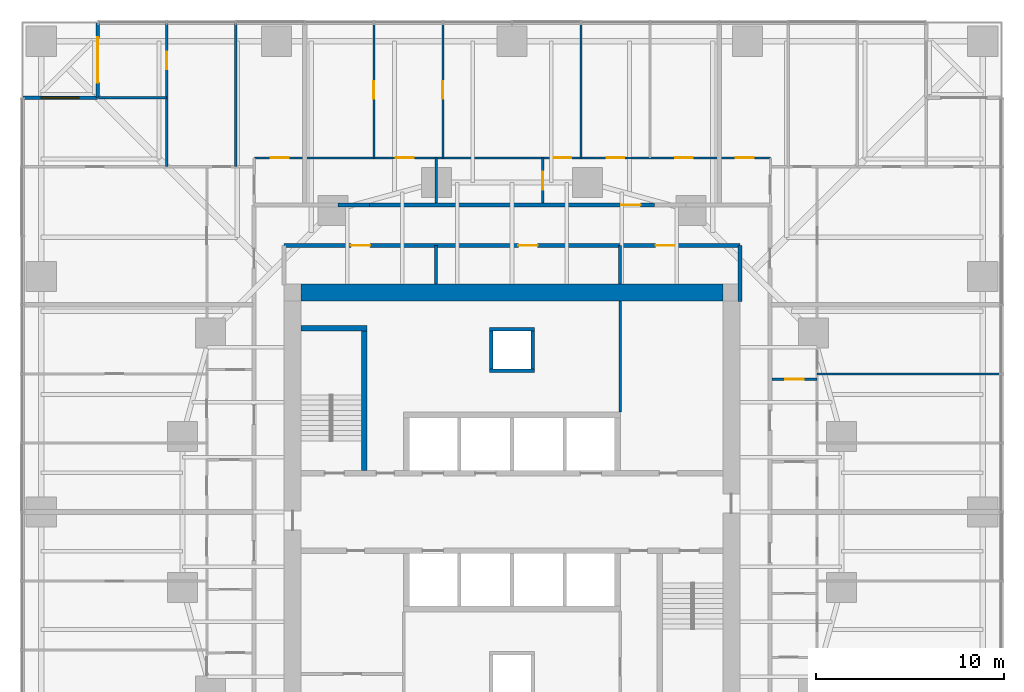
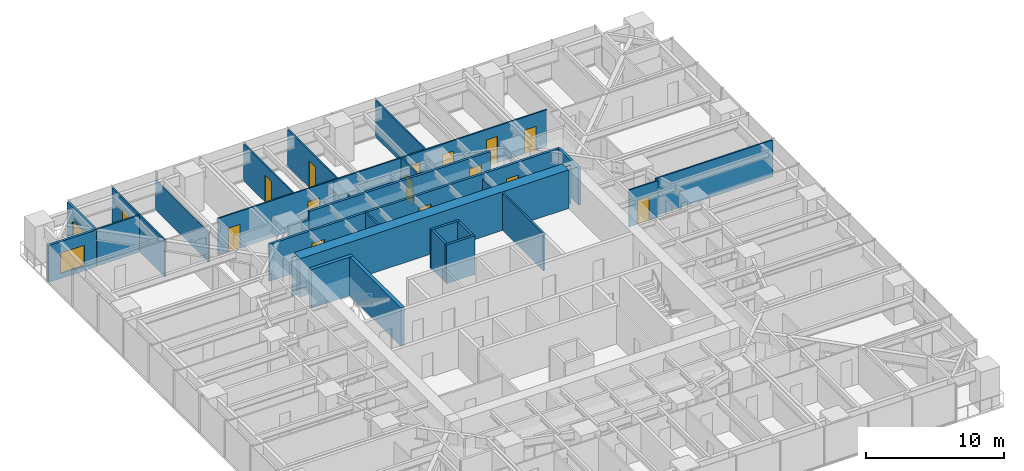
# One storey, part 12 of 14: 27 walls, 16 doors, 1 window, 17 openings.
"""IFC4 building model written with IfcOpenShell, lengths in metres."""

import ifcopenshell
import ifcopenshell.guid

model = None  # the IFC model being written
_history = None  # IfcOwnerHistory: only IFC2X3 demands one
_inside = {}  # id of a spatial element -> (the spatial element, [elements in it])
_under = {}  # id of a project, library or spatial element -> (it, [spatial elements below it])
_declared = {}  # id of a project -> (the project, [libraries it declares])
_typed = {}  # id of a type object -> (the type object, [elements of that type])
_made_of = {}  # id of a material, layer set ... -> (it, [elements and type objects made of it])


def new_model(schema):
    """Start an empty IFC model of exactly this schema.

    Asked for "IFC4X3", IfcOpenShell would pick the latest addendum, in which some entities
    have other attributes; the version numbers below select the first issue.
    IFC2X3 requires an IfcOwnerHistory on every rooted entity: one is made here for all.
    """
    global model, _history
    if schema == "IFC4X3":
        model = ifcopenshell.file(schema_version=(4, 3, 0, 0))
    else:
        model = ifcopenshell.file(schema=schema)
    _inside.clear()
    _under.clear()
    _declared.clear()
    _typed.clear()
    _made_of.clear()
    _history = None
    if model.schema == "IFC2X3":
        org = make("IfcOrganization", Name="unknown")
        user = make(
            "IfcPersonAndOrganization",
            ThePerson=make("IfcPerson", FamilyName="unknown"),
            TheOrganization=org,
        )
        app = make(
            "IfcApplication",
            ApplicationDeveloper=org,
            Version="unknown",
            ApplicationFullName="unknown",
            ApplicationIdentifier="unknown",
        )
        _history = make(
            "IfcOwnerHistory",
            OwningUser=user,
            OwningApplication=app,
            ChangeAction="ADDED",
            CreationDate=0,
        )
    return model


def make(cls, **values):
    """One entity of the class cls with the attributes given. An attribute that is None is left unset."""
    return model.create_entity(
        cls, **{name: value for name, value in values.items() if value is not None}
    )


def rooted(cls, **values):
    """An entity with a GlobalId (a new one), such as an element, a storey or a relation."""
    return make(cls, GlobalId=ifcopenshell.guid.new(), OwnerHistory=_history, **values)


def si_unit(unit_type, name, prefix=None):
    """IfcSIUnit, for example si_unit("LENGTHUNIT", "METRE", prefix="MILLI")."""
    return make("IfcSIUnit", UnitType=unit_type, Prefix=prefix, Name=name)


def assignment(units):
    """IfcUnitAssignment: the units of a project."""
    return None if units is None else make("IfcUnitAssignment", Units=units)


def point(xyz):
    """IfcCartesianPoint."""
    return None if xyz is None else make("IfcCartesianPoint", Coordinates=xyz)


def direction(xyz):
    """IfcDirection."""
    return None if xyz is None else make("IfcDirection", DirectionRatios=xyz)


def frame(location, z_axis=None, x_axis=None):
    """IfcAxis2Placement3D, a coordinate frame: its origin and axes. An axis left out is left unset."""
    return make(
        "IfcAxis2Placement3D",
        Location=point(location),
        Axis=direction(z_axis),
        RefDirection=direction(x_axis),
    )


def frame_2d(location, x_axis=None):
    """IfcAxis2Placement2D, a coordinate frame in the plane: its origin and x axis."""
    return make(
        "IfcAxis2Placement2D", Location=point(location), RefDirection=direction(x_axis)
    )


def origin():
    """The frame at (0, 0, 0) with its axes left unset."""
    return frame((0.0, 0.0, 0.0))


def place(relative_to, where):
    """IfcLocalPlacement: puts the frame where relative to a parent placement (None: the world)."""
    return make(
        "IfcLocalPlacement", PlacementRelTo=relative_to, RelativePlacement=where
    )


def context(
    kind, dimensions, precision=None, world=None, true_north=None, identifier=None
):
    """IfcGeometricRepresentationContext, for example the 3D "Model" context."""
    return make(
        "IfcGeometricRepresentationContext",
        ContextIdentifier=identifier,
        ContextType=kind,
        CoordinateSpaceDimension=dimensions,
        Precision=precision,
        WorldCoordinateSystem=world,
        TrueNorth=true_north,
    )


def subcontext(parent, identifier, kind, view, scale=None):
    """IfcGeometricRepresentationSubContext, for example "Body" below "Model"."""
    return make(
        "IfcGeometricRepresentationSubContext",
        ContextIdentifier=identifier,
        ContextType=kind,
        ParentContext=parent,
        TargetScale=scale,
        TargetView=view,
    )


def project(units=None, contexts=None):
    """IfcProject with its units and contexts."""
    return rooted(
        "IfcProject",
        Name="project",
        RepresentationContexts=contexts,
        UnitsInContext=assignment(units),
    )


def spatial(cls, under=None, at=None, **own):
    """A site, building, storey or space (cls), placed at a placement, below another one or the project."""
    s = rooted(cls, ObjectPlacement=at, **own)
    if under is not None:
        _under.setdefault(under.id(), (under, []))[1].append(s)
    return s


def polyline(points):
    """IfcPolyline through the points."""
    return make("IfcPolyline", Points=[point(p) for p in points])


def profile(cls, at=None, kind="AREA", **sizes):
    """A parametric profile (cls). Its sizes go by their IFC names, for example OverallWidth=200.0."""
    return make(cls, ProfileType=kind, Position=at, **sizes)


def rectangle(**sizes):
    """IfcRectangleProfileDef."""
    return profile("IfcRectangleProfileDef", **sizes)


def outline(outer, holes=None, kind="AREA"):
    """IfcArbitraryClosedProfileDef: a profile drawn as a closed curve; with holes, ...WithVoids."""
    if holes is None:
        return make("IfcArbitraryClosedProfileDef", ProfileType=kind, OuterCurve=outer)
    return make(
        "IfcArbitraryProfileDefWithVoids",
        ProfileType=kind,
        OuterCurve=outer,
        InnerCurves=holes,
    )


def extrude(swept, where, along, depth):
    """IfcExtrudedAreaSolid: the profile swept, set in the frame where, extruded along a direction by depth."""
    return make(
        "IfcExtrudedAreaSolid",
        SweptArea=swept,
        Position=where,
        ExtrudedDirection=direction(along),
        Depth=depth,
    )


def shape(context_of_items, identifier, shape_type, items):
    """IfcShapeRepresentation: the items that make up one representation, for example the "Body"."""
    return make(
        "IfcShapeRepresentation",
        ContextOfItems=context_of_items,
        RepresentationIdentifier=identifier,
        RepresentationType=shape_type,
        Items=items,
    )


def material(Name=None, Category=None):
    """IfcMaterial."""
    return make("IfcMaterial", Name=Name, Category=Category)


def layer(
    of_material, thickness, ventilated=None, Name=None, Category=None, Priority=None
):
    """IfcMaterialLayer: one layer of a wall or slab, of a material (None: an air gap)."""
    return make(
        "IfcMaterialLayer",
        Material=of_material,
        LayerThickness=thickness,
        IsVentilated=ventilated,
        Name=Name,
        Category=Category,
        Priority=Priority,
    )


def layer_set(layers, Name=None):
    """IfcMaterialLayerSet."""
    return make("IfcMaterialLayerSet", MaterialLayers=layers, LayerSetName=Name)


def made_of(thing, what):
    """Note that an element or type object is made of a material, layer set ...; save() writes the relation."""
    if what is not None:
        _made_of.setdefault(what.id(), (what, []))[1].append(thing)
    return thing


def type_object(cls, material=None, **own):
    """A type object (cls), such as IfcWallType, which elements share."""
    return made_of(rooted(cls, **own), material)


def element(
    cls,
    number,
    at=None,
    inside=None,
    cuts=None,
    type_object=None,
    material=None,
    context=None,
    identifier="Body",
    shape_type=None,
    held_by="IfcProductDefinitionShape",
    body=None,
    shapes=None,
    **own,
):
    """One element of the class cls, such as IfcWall. Its Tag is "e" and its number.

    at: its placement. inside: the storey or other place that contains it. cuts: it is an
    opening in that element (IfcRelVoidsElement). A single representation is given by context,
    identifier, shape_type and body (its items); several are given by shapes. held_by: the class
    of the entity that holds the representations. save() writes the other relations.
    """
    e = rooted(cls, Tag="e%d" % number, ObjectPlacement=at, **own)
    if body is not None:
        shapes = [shape(context, identifier, shape_type, body)]
    if shapes is not None:
        e.Representation = make(held_by, Representations=shapes)
    if inside is not None:
        _inside.setdefault(inside.id(), (inside, []))[1].append(e)
    if cuts is not None:
        rooted(
            "IfcRelVoidsElement", RelatingBuildingElement=cuts, RelatedOpeningElement=e
        )
    if type_object is not None:
        _typed.setdefault(type_object.id(), (type_object, []))[1].append(e)
    return made_of(e, material)


def fill(opening, filler):
    """IfcRelFillsElement: the door or window that sits in an opening."""
    return rooted(
        "IfcRelFillsElement",
        RelatingOpeningElement=opening,
        RelatedBuildingElement=filler,
    )


def aggregate(whole, parts):
    """IfcRelAggregates: a whole, such as a stair, and the parts it consists of."""
    return rooted("IfcRelAggregates", RelatingObject=whole, RelatedObjects=parts)


def save(model, path):
    """Write the relations noted so far, then the file.

    IfcRelAggregates (storeys below a building ...), IfcRelContainedInSpatialStructure (elements
    in a storey), IfcRelDefinesByType, IfcRelAssociatesMaterial and IfcRelDeclares: one each for
    every whole, place, type object, material and project.
    """
    for whole, parts in _under.values():
        aggregate(whole, parts)
    for where, things in _inside.values():
        rooted(
            "IfcRelContainedInSpatialStructure",
            RelatedElements=things,
            RelatingStructure=where,
        )
    for kind, things in _typed.values():
        rooted("IfcRelDefinesByType", RelatedObjects=things, RelatingType=kind)
    for what, things in _made_of.values():
        rooted("IfcRelAssociatesMaterial", RelatedObjects=things, RelatingMaterial=what)
    for by, libraries in _declared.values():
        rooted("IfcRelDeclares", RelatingContext=by, RelatedDefinitions=libraries)
    model.write(path)


model = new_model("IFC4")

# Units and contexts
model_context = context("Model", 3, precision=1e-05, world=origin(), true_north=direction((0.0, 1.0)))
body_context = subcontext(model_context, "Body", "Model", "MODEL_VIEW")
ifc_project = project(units=[si_unit("LENGTHUNIT", "METRE"), si_unit("AREAUNIT", "SQUARE_METRE"), si_unit("VOLUMEUNIT", "CUBIC_METRE"), si_unit("PLANEANGLEUNIT", "RADIAN"), si_unit("MASSUNIT", "GRAM", prefix="KILO")], contexts=[model_context])

# Site, building, storey
site_placement = place(None, origin())
site = spatial("IfcSite", under=ifc_project, at=site_placement, CompositionType="ELEMENT")
building_placement = place(site_placement, origin())
building = spatial("IfcBuilding", under=site, at=building_placement, Name="Torsade Residences", CompositionType="ELEMENT")
storey_placement = place(building_placement, frame((0.0, 0.0, 32.0)))
storey = spatial("IfcBuildingStorey", under=building, at=storey_placement, Name="L08", CompositionType="ELEMENT", Elevation=32.0)

# Walls
ifc_material_1 = material(Name="Concrete 80 MPa", Category="concrete")
ifc_layer_1 = layer(ifc_material_1, 0.300048828125)
ifc_layer_set_1 = layer_set([ifc_layer_1], Name="Concrete 80 MPa")
wall_type_1 = type_object("IfcWallType", Name="CORE INTERNAL WALL 300", PredefinedType="SHEAR", material=ifc_layer_set_1)
wall_1_placement = place(storey_placement, frame((32.14990234375, 32.199951171875, 0.0), z_axis=(0.0, 0.0, 1.0), x_axis=(0.0, 1.0, 0.0)))
element("IfcWall", 1, at=wall_1_placement, inside=storey, type_object=wall_type_1, Name="Core wall ST1E L08", PredefinedType="SHEAR", context=body_context, shape_type="SweptSolid", body=[
    extrude(rectangle(XDim=7.699951171875, YDim=0.300048828125, at=frame_2d((3.85009765625, 0.0))), origin(), (0.0, 0.0, 1.0), 3.39990234375),
])
wall_2_placement = place(storey_placement, frame((28.800048828125, 39.75, 0.0), z_axis=(0.0, 0.0, 1.0), x_axis=(1.0, 0.0, 0.0)))
element("IfcWall", 2, at=wall_2_placement, inside=storey, type_object=wall_type_1, Name="Core wall ST1N L08", PredefinedType="SHEAR", context=body_context, shape_type="SweptSolid", body=[
    extrude(rectangle(XDim=3.5, YDim=0.300048828125, at=frame_2d((1.75, 0.0))), origin(), (0.0, 0.0, 1.0), 3.39990234375),
])
ifc_material_2 = material(Name="Concrete 80 MPa", Category="concrete")
ifc_layer_2 = layer(ifc_material_2, 0.89990234375)
ifc_layer_set_2 = layer_set([ifc_layer_2], Name="Concrete 80 MPa")
wall_type_2 = type_object("IfcWallType", Name="CORE WALL 900", PredefinedType="SHEAR", material=ifc_layer_set_2)
wall_3_placement = place(storey_placement, frame((28.800048828125, 41.64990234375, 0.0), z_axis=(0.0, 0.0, 1.0), x_axis=(1.0, 0.0, 0.0)))
element("IfcWall", 3, at=wall_3_placement, inside=storey, type_object=wall_type_2, Name="Core wall N L08", PredefinedType="SHEAR", context=body_context, shape_type="SweptSolid", body=[
    extrude(outline(polyline([(0.0, -0.449951171875), (22.39990234375, -0.449951171875), (22.39990234375, -0.02490234375), (22.849853515625, -0.02490234375), (22.849853515625, 0.02490234375), (22.39990234375, 0.02490234375), (22.39990234375, 0.449951171875), (0.0, 0.449951171875), (0.0, 0.02490234375), (-0.449951171875, 0.02490234375), (-0.449951171875, -0.02490234375), (0.0, -0.02490234375), (0.0, -0.449951171875)])), origin(), (0.0, 0.0, 1.0), 3.39990234375),
])

# Wall, opening, door
ifc_material_3 = material(Name="Plasterboard on steel stud", Category="steel")
ifc_layer_3 = layer(ifc_material_3, 0.199951171875)
ifc_layer_set_3 = layer_set([ifc_layer_3], Name="Plasterboard on steel stud")
wall_type_3 = type_object("IfcWallType", Name="CORRIDOR WALL 200", PredefinedType="PARTITIONING", material=ifc_layer_set_3)
wall_4_placement = place(storey_placement, frame((47.558349609375, 46.300048828125, 0.0), z_axis=(0.0, 0.0, 1.0), x_axis=(-1.0, 0.0, 0.0)))
wall_4 = element("IfcWall", 4, at=wall_4_placement, inside=storey, type_object=wall_type_3, Name="Corridor wall L08", PredefinedType="PARTITIONING", context=body_context, shape_type="SweptSolid", body=[
    extrude(rectangle(XDim=15.11669921875, YDim=0.199951171875, at=frame_2d((7.558349609375, 0.0))), origin(), (0.0, 0.0, 1.0), 3.25),
])
opening_1_placement = place(wall_4_placement, frame((0.72900390625, 0.0, 0.0)))
opening_1 = element("IfcOpeningElement", 5, at=opening_1_placement, cuts=wall_4, Name="Opening D01", PredefinedType="OPENING", context=body_context, shape_type="SweptSolid", body=[
    extrude(rectangle(XDim=1.02001953125, YDim=2.340087890625, at=frame_2d((0.510009765625, 1.169921875))), frame((0.0, 0.10986328125, 0.0), z_axis=(0.0, -1.0, 0.0), x_axis=(1.0, 0.0, 0.0)), (0.0, 0.0, 1.0), 0.219970703125),
])
ifc_material_4 = material(Name="Solid-core timber fire door", Category="wood")
door_type_1 = type_object("IfcDoorType", Name="APARTMENT ENTRY DOOR 1020x2340", OperationType="NOTDEFINED", PredefinedType="DOOR", material=ifc_material_4)
door_1_placement = place(opening_1_placement, origin())
door_1 = element("IfcDoor", 6, at=door_1_placement, inside=storey, type_object=door_type_1, Name="Door Residential corridor to Kitchen and dining", OperationType="SINGLE_SWING_LEFT", OverallHeight=2.340087890625, OverallWidth=1.02001953125, PredefinedType="DOOR", context=body_context, shape_type="SweptSolid", body=[
    extrude(rectangle(XDim=1.02001953125, YDim=2.340087890625, at=frame_2d((0.510009765625, 1.169921875))), frame((0.0, 0.02490234375, 0.0), z_axis=(0.0, -1.0, 0.0), x_axis=(1.0, 0.0, 0.0)), (0.0, 0.0, 1.0), 0.050048828125),
])
fill(opening_1, door_1)

# Wall
wall_5_placement = place(storey_placement, frame((32.441650390625, 46.300048828125, 0.0), z_axis=(0.0, 0.0, 1.0), x_axis=(-1.0, 0.0, 0.0)))
element("IfcWall", 7, at=wall_5_placement, inside=storey, type_object=wall_type_3, Name="Corridor wall L08", PredefinedType="PARTITIONING", context=body_context, shape_type="SweptSolid", body=[
    extrude(rectangle(XDim=1.683349609375, YDim=0.199951171875, at=frame_2d((0.841796875, 0.0))), origin(), (0.0, 0.0, 1.0), 2.550048828125),
])

# Wall, openings, doors
wall_6_placement = place(storey_placement, frame((52.10009765625, 44.14990234375, 0.0), z_axis=(0.0, 0.0, 1.0), x_axis=(-1.0, 0.0, 0.0)))
wall_6 = element("IfcWall", 8, at=wall_6_placement, inside=storey, type_object=wall_type_3, Name="Corridor wall L08", PredefinedType="PARTITIONING", context=body_context, shape_type="SweptSolid", body=[
    extrude(rectangle(XDim=24.2001953125, YDim=0.199951171875, at=frame_2d((12.10009765625, 0.0))), origin(), (0.0, 0.0, 1.0), 3.25),
])
opening_2_placement = place(wall_6_placement, frame((10.742919921875, 0.0, 0.0)))
opening_2 = element("IfcOpeningElement", 9, at=opening_2_placement, cuts=wall_6, Name="Opening D03", PredefinedType="OPENING", context=body_context, shape_type="SweptSolid", body=[
    extrude(rectangle(XDim=1.02001953125, YDim=2.10009765625, at=frame_2d((0.510009765625, 1.050048828125))), frame((0.0, 0.10986328125, 0.0), z_axis=(0.0, -1.0, 0.0), x_axis=(1.0, 0.0, 0.0)), (0.0, 0.0, 1.0), 0.219970703125),
])
opening_3_placement = place(wall_6_placement, frame((19.6357421875, 0.0, 0.0)))
opening_3 = element("IfcOpeningElement", 10, at=opening_3_placement, cuts=wall_6, Name="Opening D03", PredefinedType="OPENING", context=body_context, shape_type="SweptSolid", body=[
    extrude(rectangle(XDim=1.02001953125, YDim=2.10009765625, at=frame_2d((0.510009765625, 1.050048828125))), frame((0.0, 0.10986328125, 0.0), z_axis=(0.0, -1.0, 0.0), x_axis=(1.0, 0.0, 0.0)), (0.0, 0.0, 1.0), 0.219970703125),
])
opening_4_placement = place(wall_6_placement, frame((3.447265625, 0.0, 0.0)))
opening_4 = element("IfcOpeningElement", 11, at=opening_4_placement, cuts=wall_6, Name="Opening D03", PredefinedType="OPENING", context=body_context, shape_type="SweptSolid", body=[
    extrude(rectangle(XDim=1.02001953125, YDim=2.10009765625, at=frame_2d((0.510009765625, 1.050048828125))), frame((0.0, 0.10986328125, 0.0), z_axis=(0.0, -1.0, 0.0), x_axis=(1.0, 0.0, 0.0)), (0.0, 0.0, 1.0), 0.219970703125),
])
ifc_material_5 = material(Name="Steel-framed fire door", Category="steel")
door_type_2 = type_object("IfcDoorType", Name="FIRE DOOR 1020", OperationType="NOTDEFINED", PredefinedType="DOOR", material=ifc_material_5)
door_2_placement = place(opening_2_placement, origin())
door_2 = element("IfcDoor", 12, at=door_2_placement, inside=storey, type_object=door_type_2, Name="Door Residential corridor to Residents storage", OperationType="SINGLE_SWING_LEFT", OverallHeight=2.10009765625, OverallWidth=1.02001953125, PredefinedType="DOOR", context=body_context, shape_type="SweptSolid", body=[
    extrude(rectangle(XDim=1.02001953125, YDim=2.10009765625, at=frame_2d((0.510009765625, 1.050048828125))), frame((0.0, 0.02490234375, 0.0), z_axis=(0.0, -1.0, 0.0), x_axis=(1.0, 0.0, 0.0)), (0.0, 0.0, 1.0), 0.050048828125),
])
fill(opening_2, door_2)
door_3_placement = place(opening_3_placement, origin())
door_3 = element("IfcDoor", 13, at=door_3_placement, inside=storey, type_object=door_type_2, Name="Door Residential corridor to Bulk store", OperationType="SINGLE_SWING_RIGHT", OverallHeight=2.10009765625, OverallWidth=1.02001953125, PredefinedType="DOOR", context=body_context, shape_type="SweptSolid", body=[
    extrude(rectangle(XDim=1.02001953125, YDim=2.10009765625, at=frame_2d((0.510009765625, 1.050048828125))), frame((0.0, 0.02490234375, 0.0), z_axis=(0.0, -1.0, 0.0), x_axis=(1.0, 0.0, 0.0)), (0.0, 0.0, 1.0), 0.050048828125),
])
fill(opening_3, door_3)
door_4_placement = place(opening_4_placement, origin())
door_4 = element("IfcDoor", 14, at=door_4_placement, inside=storey, type_object=door_type_2, Name="Door Residential corridor to Parcel room", OperationType="SINGLE_SWING_RIGHT", OverallHeight=2.10009765625, OverallWidth=1.02001953125, PredefinedType="DOOR", context=body_context, shape_type="SweptSolid", body=[
    extrude(rectangle(XDim=1.02001953125, YDim=2.10009765625, at=frame_2d((0.510009765625, 1.050048828125))), frame((0.0, 0.02490234375, 0.0), z_axis=(0.0, -1.0, 0.0), x_axis=(1.0, 0.0, 0.0)), (0.0, 0.0, 1.0), 0.050048828125),
])
fill(opening_4, door_4)

# Wall
wall_7_placement = place(storey_placement, frame((52.10009765625, 41.179931640625, 0.0), z_axis=(0.0, 0.0, 1.0), x_axis=(0.0, 1.0, 0.0)))
element("IfcWall", 15, at=wall_7_placement, inside=storey, type_object=wall_type_3, Name="Corridor wall L08", PredefinedType="PARTITIONING", context=body_context, shape_type="SweptSolid", body=[
    extrude(rectangle(XDim=2.969970703125, YDim=0.199951171875, at=frame_2d((1.48486328125, 0.0))), origin(), (0.0, 0.0, 1.0), 3.25),
])

# Wall, opening, door
ifc_material_6 = material(Name="Plasterboard on steel stud", Category="steel")
ifc_layer_4 = layer(ifc_material_6, 0.1201171875)
ifc_layer_set_4 = layer_set([ifc_layer_4], Name="Plasterboard on steel stud")
wall_type_4 = type_object("IfcWallType", Name="PARTITION 120", PredefinedType="PARTITIONING", material=ifc_layer_set_4)
wall_8_placement = place(storey_placement, frame((53.800048828125, 37.046142578125, 0.0), z_axis=(0.0, 0.0, 1.0), x_axis=(1.0, 0.0, 0.0)))
wall_8 = element("IfcWall", 16, at=wall_8_placement, inside=storey, type_object=wall_type_4, Name="Partition L08", PredefinedType="PARTITIONING", context=body_context, shape_type="SweptSolid", body=[
    extrude(rectangle(XDim=2.39990234375, YDim=0.1201171875, at=frame_2d((1.199951171875, 0.0))), origin(), (0.0, 0.0, 1.0), 3.25),
])
opening_5_placement = place(wall_8_placement, frame((0.719970703125, 0.0, 0.0)))
opening_5 = element("IfcOpeningElement", 17, at=opening_5_placement, cuts=wall_8, Name="Opening D05", PredefinedType="OPENING", context=body_context, shape_type="SweptSolid", body=[
    extrude(rectangle(XDim=0.9599609375, YDim=2.10009765625, at=frame_2d((0.47998046875, 1.050048828125))), frame((0.0, 0.070068359375, 0.0), z_axis=(0.0, -1.0, 0.0), x_axis=(1.0, 0.0, 0.0)), (0.0, 0.0, 1.0), 0.14013671875),
])
ifc_material_7 = material(Name="Hollow-core timber door in a steel cavity frame", Category="steel")
door_type_3 = type_object("IfcDoorType", Name="BATHROOM CAVITY SLIDING DOOR 960", OperationType="SLIDING_TO_LEFT", PredefinedType="DOOR", material=ifc_material_7)
door_5_placement = place(opening_5_placement, origin())
door_5 = element("IfcDoor", 18, at=door_5_placement, inside=storey, type_object=door_type_3, Name="Door Kitchen and dining to Bathroom", OperationType="SLIDING_TO_LEFT", OverallHeight=2.10009765625, OverallWidth=0.9599609375, PredefinedType="DOOR", context=body_context, shape_type="SweptSolid", body=[
    extrude(rectangle(XDim=0.9599609375, YDim=2.10009765625, at=frame_2d((0.47998046875, 1.050048828125))), frame((0.0, 0.02490234375, 0.0), z_axis=(0.0, -1.0, 0.0), x_axis=(1.0, 0.0, 0.0)), (0.0, 0.0, 1.0), 0.050048828125),
])
fill(opening_5, door_5)

# Wall
wall_9_placement = place(storey_placement, frame((65.9599609375, 37.333251953125, 0.0), z_axis=(0.0, 0.0, 1.0), x_axis=(-1.0, 0.0, 0.0)))
element("IfcWall", 19, at=wall_9_placement, inside=storey, type_object=wall_type_4, Name="Partition L08", PredefinedType="PARTITIONING", context=body_context, shape_type="SweptSolid", body=[
    extrude(rectangle(XDim=9.760009765625, YDim=0.1201171875, at=frame_2d((4.8798828125, 0.0))), origin(), (0.0, 0.0, 1.0), 3.25),
])

# Wall, openings, doors
wall_10_placement = place(storey_placement, frame((26.314697265625, 48.800048828125, 0.0), z_axis=(0.0, 0.0, 1.0), x_axis=(1.0, 0.0, 0.0)))
wall_10 = element("IfcWall", 20, at=wall_10_placement, inside=storey, type_object=wall_type_4, Name="Partition L08", PredefinedType="PARTITIONING", context=body_context, shape_type="SweptSolid", body=[
    extrude(rectangle(XDim=27.40966796875, YDim=0.1201171875, at=frame_2d((13.704833984375, 0.0))), origin(), (0.0, 0.0, 1.0), 3.25),
])
opening_6_placement = place(wall_10_placement, frame((18.725341796875, 0.0, 0.0)))
opening_6 = element("IfcOpeningElement", 21, at=opening_6_placement, cuts=wall_10, Name="Opening D02", PredefinedType="OPENING", context=body_context, shape_type="SweptSolid", body=[
    extrude(rectangle(XDim=0.919921875, YDim=2.340087890625, at=frame_2d((0.4599609375, 1.169921875))), frame((0.0, 0.070068359375, 0.0), z_axis=(0.0, -1.0, 0.0), x_axis=(1.0, 0.0, 0.0)), (0.0, 0.0, 1.0), 0.14013671875),
])
opening_7_placement = place(wall_10_placement, frame((22.366943359375, 0.0, 0.0)))
opening_7 = element("IfcOpeningElement", 22, at=opening_7_placement, cuts=wall_10, Name="Opening D02", PredefinedType="OPENING", context=body_context, shape_type="SweptSolid", body=[
    extrude(rectangle(XDim=0.919921875, YDim=2.340087890625, at=frame_2d((0.4599609375, 1.169921875))), frame((0.0, 0.070068359375, 0.0), z_axis=(0.0, -1.0, 0.0), x_axis=(1.0, 0.0, 0.0)), (0.0, 0.0, 1.0), 0.14013671875),
])
opening_8_placement = place(wall_10_placement, frame((15.90283203125, 0.0, 0.0)))
opening_8 = element("IfcOpeningElement", 23, at=opening_8_placement, cuts=wall_10, Name="Opening D02", PredefinedType="OPENING", context=body_context, shape_type="SweptSolid", body=[
    extrude(rectangle(XDim=0.919921875, YDim=2.340087890625, at=frame_2d((0.4599609375, 1.169921875))), frame((0.0, 0.070068359375, 0.0), z_axis=(0.0, -1.0, 0.0), x_axis=(1.0, 0.0, 0.0)), (0.0, 0.0, 1.0), 0.14013671875),
])
opening_9_placement = place(wall_10_placement, frame((25.5673828125, 0.0, 0.0)))
opening_9 = element("IfcOpeningElement", 24, at=opening_9_placement, cuts=wall_10, Name="Opening D05", PredefinedType="OPENING", context=body_context, shape_type="SweptSolid", body=[
    extrude(rectangle(XDim=0.9599609375, YDim=2.10009765625, at=frame_2d((0.47998046875, 1.050048828125))), frame((0.0, 0.070068359375, 0.0), z_axis=(0.0, -1.0, 0.0), x_axis=(1.0, 0.0, 0.0)), (0.0, 0.0, 1.0), 0.14013671875),
])
opening_10_placement = place(wall_10_placement, frame((0.862548828125, 0.0, 0.0)))
opening_10 = element("IfcOpeningElement", 25, at=opening_10_placement, cuts=wall_10, Name="Opening D05", PredefinedType="OPENING", context=body_context, shape_type="SweptSolid", body=[
    extrude(rectangle(XDim=0.9599609375, YDim=2.10009765625, at=frame_2d((0.47998046875, 1.050048828125))), frame((0.0, 0.070068359375, 0.0), z_axis=(0.0, -1.0, 0.0), x_axis=(1.0, 0.0, 0.0)), (0.0, 0.0, 1.0), 0.14013671875),
])
opening_11_placement = place(wall_10_placement, frame((7.502685546875, 0.0, 0.0)))
opening_11 = element("IfcOpeningElement", 26, at=opening_11_placement, cuts=wall_10, Name="Opening D05", PredefinedType="OPENING", context=body_context, shape_type="SweptSolid", body=[
    extrude(rectangle(XDim=0.9599609375, YDim=2.10009765625, at=frame_2d((0.47998046875, 1.050048828125))), frame((0.0, 0.070068359375, 0.0), z_axis=(0.0, -1.0, 0.0), x_axis=(1.0, 0.0, 0.0)), (0.0, 0.0, 1.0), 0.14013671875),
])
door_6_placement = place(opening_9_placement, origin())
door_6 = element("IfcDoor", 27, at=door_6_placement, inside=storey, type_object=door_type_3, Name="Door Bathroom to Study", OperationType="SLIDING_TO_LEFT", OverallHeight=2.10009765625, OverallWidth=0.9599609375, PredefinedType="DOOR", context=body_context, shape_type="SweptSolid", body=[
    extrude(rectangle(XDim=0.9599609375, YDim=2.10009765625, at=frame_2d((0.47998046875, 1.050048828125))), frame((0.0, 0.02490234375, 0.0), z_axis=(0.0, -1.0, 0.0), x_axis=(1.0, 0.0, 0.0)), (0.0, 0.0, 1.0), 0.050048828125),
])
fill(opening_9, door_6)
door_7_placement = place(opening_10_placement, origin())
door_7 = element("IfcDoor", 28, at=door_7_placement, inside=storey, type_object=door_type_3, Name="Door Bathroom to Study", OperationType="SLIDING_TO_LEFT", OverallHeight=2.10009765625, OverallWidth=0.9599609375, PredefinedType="DOOR", context=body_context, shape_type="SweptSolid", body=[
    extrude(rectangle(XDim=0.9599609375, YDim=2.10009765625, at=frame_2d((0.47998046875, 1.050048828125))), frame((0.0, 0.02490234375, 0.0), z_axis=(0.0, -1.0, 0.0), x_axis=(1.0, 0.0, 0.0)), (0.0, 0.0, 1.0), 0.050048828125),
])
fill(opening_10, door_7)
door_8_placement = place(opening_11_placement, origin())
door_8 = element("IfcDoor", 29, at=door_8_placement, inside=storey, type_object=door_type_3, Name="Door Family room to Bathroom", OperationType="SLIDING_TO_LEFT", OverallHeight=2.10009765625, OverallWidth=0.9599609375, PredefinedType="DOOR", context=body_context, shape_type="SweptSolid", body=[
    extrude(rectangle(XDim=0.9599609375, YDim=2.10009765625, at=frame_2d((0.47998046875, 1.050048828125))), frame((0.0, 0.02490234375, 0.0), z_axis=(0.0, -1.0, 0.0), x_axis=(1.0, 0.0, 0.0)), (0.0, 0.0, 1.0), 0.050048828125),
])
fill(opening_11, door_8)
ifc_material_8 = material(Name="Hollow-core timber door", Category="wood")
door_type_4 = type_object("IfcDoorType", Name="INTERNAL DOOR 920x2340", OperationType="NOTDEFINED", PredefinedType="DOOR", material=ifc_material_8)
door_9_placement = place(opening_6_placement, origin())
door_9 = element("IfcDoor", 30, at=door_9_placement, inside=storey, type_object=door_type_4, Name="Door Kitchen and dining to Study", OperationType="SINGLE_SWING_RIGHT", OverallHeight=2.340087890625, OverallWidth=0.919921875, PredefinedType="DOOR", context=body_context, shape_type="SweptSolid", body=[
    extrude(rectangle(XDim=0.919921875, YDim=2.340087890625, at=frame_2d((0.4599609375, 1.169921875))), frame((0.0, 0.02490234375, 0.0), z_axis=(0.0, -1.0, 0.0), x_axis=(1.0, 0.0, 0.0)), (0.0, 0.0, 1.0), 0.050048828125),
])
fill(opening_6, door_9)
door_10_placement = place(opening_7_placement, origin())
door_10 = element("IfcDoor", 31, at=door_10_placement, inside=storey, type_object=door_type_4, Name="Door Kitchen and dining to Bedroom 1", OperationType="SINGLE_SWING_LEFT", OverallHeight=2.340087890625, OverallWidth=0.919921875, PredefinedType="DOOR", context=body_context, shape_type="SweptSolid", body=[
    extrude(rectangle(XDim=0.919921875, YDim=2.340087890625, at=frame_2d((0.4599609375, 1.169921875))), frame((0.0, 0.02490234375, 0.0), z_axis=(0.0, -1.0, 0.0), x_axis=(1.0, 0.0, 0.0)), (0.0, 0.0, 1.0), 0.050048828125),
])
fill(opening_7, door_10)
door_11_placement = place(opening_8_placement, origin())
door_11 = element("IfcDoor", 32, at=door_11_placement, inside=storey, type_object=door_type_4, Name="Door Kitchen and dining to Living room", OperationType="SINGLE_SWING_RIGHT", OverallHeight=2.340087890625, OverallWidth=0.919921875, PredefinedType="DOOR", context=body_context, shape_type="SweptSolid", body=[
    extrude(rectangle(XDim=0.919921875, YDim=2.340087890625, at=frame_2d((0.4599609375, 1.169921875))), frame((0.0, 0.02490234375, 0.0), z_axis=(0.0, -1.0, 0.0), x_axis=(1.0, 0.0, 0.0)), (0.0, 0.0, 1.0), 0.050048828125),
])
fill(opening_8, door_11)

# Wall, opening, door
wall_11_placement = place(storey_placement, frame((41.63818359375, 46.39990234375, 0.0), z_axis=(0.0, 0.0, 1.0), x_axis=(0.0, 1.0, 0.0)))
wall_11 = element("IfcWall", 33, at=wall_11_placement, inside=storey, type_object=wall_type_4, Name="Partition L08", PredefinedType="PARTITIONING", context=body_context, shape_type="SweptSolid", body=[
    extrude(rectangle(XDim=2.400146484375, YDim=0.1201171875, at=frame_2d((1.2001953125, 0.0))), origin(), (0.0, 0.0, 1.0), 3.25),
])
opening_12_placement = place(wall_11_placement, frame((0.719970703125, 0.0, 0.0)))
opening_12 = element("IfcOpeningElement", 34, at=opening_12_placement, cuts=wall_11, Name="Opening D05", PredefinedType="OPENING", context=body_context, shape_type="SweptSolid", body=[
    extrude(rectangle(XDim=0.9599609375, YDim=2.10009765625, at=frame_2d((0.47998046875, 1.050048828125))), frame((0.0, 0.070068359375, 0.0), z_axis=(0.0, -1.0, 0.0), x_axis=(1.0, 0.0, 0.0)), (0.0, 0.0, 1.0), 0.14013671875),
])
door_12_placement = place(opening_12_placement, origin())
door_12 = element("IfcDoor", 35, at=door_12_placement, inside=storey, type_object=door_type_3, Name="Door Kitchen and dining to Ensuite", OperationType="SLIDING_TO_LEFT", OverallHeight=2.10009765625, OverallWidth=0.9599609375, PredefinedType="DOOR", context=body_context, shape_type="SweptSolid", body=[
    extrude(rectangle(XDim=0.9599609375, YDim=2.10009765625, at=frame_2d((0.47998046875, 1.050048828125))), frame((0.0, 0.02490234375, 0.0), z_axis=(0.0, -1.0, 0.0), x_axis=(1.0, 0.0, 0.0)), (0.0, 0.0, 1.0), 0.050048828125),
])
fill(opening_12, door_12)

# Walls
wall_12_placement = place(storey_placement, frame((35.97802734375, 48.800048828125, 0.0), z_axis=(0.0, 0.0, 1.0), x_axis=(0.0, -1.0, 0.0)))
element("IfcWall", 36, at=wall_12_placement, inside=storey, type_object=wall_type_4, Name="Partition L08", PredefinedType="PARTITIONING", context=body_context, shape_type="SweptSolid", body=[
    extrude(rectangle(XDim=2.400146484375, YDim=0.1201171875, at=frame_2d((1.2001953125, 0.0))), origin(), (0.0, 0.0, 1.0), 3.25),
])
wall_13_placement = place(storey_placement, frame((43.666748046875, 55.9599609375, 0.0), z_axis=(0.0, 0.0, 1.0), x_axis=(0.0, -1.0, 0.0)))
element("IfcWall", 37, at=wall_13_placement, inside=storey, type_object=wall_type_4, Name="Partition L08", PredefinedType="PARTITIONING", context=body_context, shape_type="SweptSolid", body=[
    extrude(rectangle(XDim=7.159912109375, YDim=0.1201171875, at=frame_2d((3.580078125, 0.0))), origin(), (0.0, 0.0, 1.0), 3.25),
])

# Wall, opening, door
wall_14_placement = place(storey_placement, frame((36.333251953125, 48.800048828125, 0.0), z_axis=(0.0, 0.0, 1.0), x_axis=(0.0, 1.0, 0.0)))
wall_14 = element("IfcWall", 38, at=wall_14_placement, inside=storey, type_object=wall_type_4, Name="Partition L08", PredefinedType="PARTITIONING", context=body_context, shape_type="SweptSolid", body=[
    extrude(rectangle(XDim=7.159912109375, YDim=0.1201171875, at=frame_2d((3.580078125, 0.0))), origin(), (0.0, 0.0, 1.0), 3.25),
])
opening_13_placement = place(wall_14_placement, frame((3.139892578125, 0.0, 0.0)))
opening_13 = element("IfcOpeningElement", 39, at=opening_13_placement, cuts=wall_14, Name="Opening D02", PredefinedType="OPENING", context=body_context, shape_type="SweptSolid", body=[
    extrude(rectangle(XDim=0.919921875, YDim=2.340087890625, at=frame_2d((0.4599609375, 1.169921875))), frame((0.0, 0.070068359375, 0.0), z_axis=(0.0, -1.0, 0.0), x_axis=(1.0, 0.0, 0.0)), (0.0, 0.0, 1.0), 0.14013671875),
])
door_13_placement = place(opening_13_placement, origin())
door_13 = element("IfcDoor", 40, at=door_13_placement, inside=storey, type_object=door_type_4, Name="Door Living room to Family room", OperationType="SINGLE_SWING_RIGHT", OverallHeight=2.340087890625, OverallWidth=0.919921875, PredefinedType="DOOR", context=body_context, shape_type="SweptSolid", body=[
    extrude(rectangle(XDim=0.919921875, YDim=2.340087890625, at=frame_2d((0.4599609375, 1.169921875))), frame((0.0, 0.02490234375, 0.0), z_axis=(0.0, -1.0, 0.0), x_axis=(1.0, 0.0, 0.0)), (0.0, 0.0, 1.0), 0.050048828125),
])
fill(opening_13, door_13)

wall_15_placement = place(storey_placement, frame((32.666748046875, 55.9599609375, 0.0), z_axis=(0.0, 0.0, 1.0), x_axis=(0.0, -1.0, 0.0)))
wall_15 = element("IfcWall", 41, at=wall_15_placement, inside=storey, type_object=wall_type_4, Name="Partition L08", PredefinedType="PARTITIONING", context=body_context, shape_type="SweptSolid", body=[
    extrude(rectangle(XDim=7.159912109375, YDim=0.1201171875, at=frame_2d((3.580078125, 0.0))), origin(), (0.0, 0.0, 1.0), 3.25),
])
opening_14_placement = place(wall_15_placement, frame((3.10009765625, 0.0, 0.0)))
opening_14 = element("IfcOpeningElement", 42, at=opening_14_placement, cuts=wall_15, Name="Opening D02", PredefinedType="OPENING", context=body_context, shape_type="SweptSolid", body=[
    extrude(rectangle(XDim=0.919921875, YDim=2.340087890625, at=frame_2d((0.4599609375, 1.169921875))), frame((0.0, 0.070068359375, 0.0), z_axis=(0.0, -1.0, 0.0), x_axis=(1.0, 0.0, 0.0)), (0.0, 0.0, 1.0), 0.14013671875),
])
door_14_placement = place(opening_14_placement, origin())
door_14 = element("IfcDoor", 43, at=door_14_placement, inside=storey, type_object=door_type_4, Name="Door Family room to Bedroom 2", OperationType="SINGLE_SWING_LEFT", OverallHeight=2.340087890625, OverallWidth=0.919921875, PredefinedType="DOOR", context=body_context, shape_type="SweptSolid", body=[
    extrude(rectangle(XDim=0.919921875, YDim=2.340087890625, at=frame_2d((0.4599609375, 1.169921875))), frame((0.0, 0.02490234375, 0.0), z_axis=(0.0, -1.0, 0.0), x_axis=(1.0, 0.0, 0.0)), (0.0, 0.0, 1.0), 0.050048828125),
])
fill(opening_14, door_14)

wall_16_placement = place(storey_placement, frame((21.666748046875, 55.9599609375, 0.0), z_axis=(0.0, 0.0, 1.0), x_axis=(0.0, -1.0, 0.0)))
wall_16 = element("IfcWall", 44, at=wall_16_placement, inside=storey, type_object=wall_type_4, Name="Partition L08", PredefinedType="PARTITIONING", context=body_context, shape_type="SweptSolid", body=[
    extrude(rectangle(XDim=7.626708984375, YDim=0.1201171875, at=frame_2d((3.8134765625, 0.0))), origin(), (0.0, 0.0, 1.0), 3.25),
])
opening_15_placement = place(wall_16_placement, frame((1.52490234375, 0.0, 0.0)))
opening_15 = element("IfcOpeningElement", 45, at=opening_15_placement, cuts=wall_16, Name="Opening D02", PredefinedType="OPENING", context=body_context, shape_type="SweptSolid", body=[
    extrude(rectangle(XDim=0.919921875, YDim=2.340087890625, at=frame_2d((0.4599609375, 1.169921875))), frame((0.0, 0.070068359375, 0.0), z_axis=(0.0, -1.0, 0.0), x_axis=(1.0, 0.0, 0.0)), (0.0, 0.0, 1.0), 0.14013671875),
])
door_15_placement = place(opening_15_placement, origin())
door_15 = element("IfcDoor", 46, at=door_15_placement, inside=storey, type_object=door_type_4, Name="Door Bedroom 2 to Family room", OperationType="SINGLE_SWING_RIGHT", OverallHeight=2.340087890625, OverallWidth=0.919921875, PredefinedType="DOOR", context=body_context, shape_type="SweptSolid", body=[
    extrude(rectangle(XDim=0.919921875, YDim=2.340087890625, at=frame_2d((0.4599609375, 1.169921875))), frame((0.0, 0.02490234375, 0.0), z_axis=(0.0, -1.0, 0.0), x_axis=(1.0, 0.0, 0.0)), (0.0, 0.0, 1.0), 0.050048828125),
])
fill(opening_15, door_15)

# Walls
wall_17_placement = place(storey_placement, frame((18.0400390625, 52.0, 0.0), z_axis=(0.0, 0.0, 1.0), x_axis=(1.0, 0.0, 0.0)))
element("IfcWall", 47, at=wall_17_placement, inside=storey, type_object=wall_type_4, Name="Partition L08", PredefinedType="PARTITIONING", context=body_context, shape_type="SweptSolid", body=[
    extrude(rectangle(XDim=3.626708984375, YDim=0.1201171875, at=frame_2d((1.8134765625, 0.0))), origin(), (0.0, 0.0, 1.0), 3.25),
])
wall_18_placement = place(storey_placement, frame((25.333251953125, 55.9599609375, 0.0), z_axis=(0.0, 0.0, 1.0), x_axis=(0.0, -1.0, 0.0)))
element("IfcWall", 48, at=wall_18_placement, inside=storey, type_object=wall_type_4, Name="Partition L08", PredefinedType="PARTITIONING", context=body_context, shape_type="SweptSolid", body=[
    extrude(rectangle(XDim=7.626708984375, YDim=0.1201171875, at=frame_2d((3.8134765625, 0.0))), origin(), (0.0, 0.0, 1.0), 2.637939453125),
])
ifc_material_9 = material(Name="Reinforced blockwork", Category="masonry")
ifc_layer_5 = layer(ifc_material_9, 0.199951171875)
ifc_layer_set_5 = layer_set([ifc_layer_5], Name="Reinforced blockwork")
wall_type_5 = type_object("IfcWallType", Name="RISER SHAFT WALL 200", PredefinedType="SOLIDWALL", material=ifc_layer_set_5)
for number, where, z_axis, x_axis, name in (
    (49, (38.89990234375, 37.60009765625, 0.0), (0.0, 0.0, 1.0), (0.0, 1.0, 0.0), "Core wall RS1a L08"),
    (50, (41.10009765625, 37.60009765625, 0.0), (0.0, 0.0, 1.0), (0.0, 1.0, 0.0), "Core wall RS1b L08"),
):
    element("IfcWall", number, at=place(storey_placement, frame(where, z_axis=z_axis, x_axis=x_axis)), inside=storey, type_object=wall_type_5, Name=name, PredefinedType="SOLIDWALL", context=body_context, shape_type="SweptSolid", body=[
        extrude(rectangle(XDim=2.0, YDim=0.199951171875, at=frame_2d((1.0, 0.0))), origin(), (0.0, 0.0, 1.0), 3.39990234375),
    ])
for number, where, z_axis, x_axis, name in (
    (51, (38.800048828125, 37.5, 0.0), (0.0, 0.0, 1.0), (1.0, 0.0, 0.0), "Core wall RS1c L08"),
    (52, (38.800048828125, 39.699951171875, 0.0), (0.0, 0.0, 1.0), (1.0, 0.0, 0.0), "Core wall RS1d L08"),
):
    element("IfcWall", number, at=place(storey_placement, frame(where, z_axis=z_axis, x_axis=x_axis)), inside=storey, type_object=wall_type_5, Name=name, PredefinedType="SOLIDWALL", context=body_context, shape_type="SweptSolid", body=[
        extrude(rectangle(XDim=2.39990234375, YDim=0.199951171875, at=frame_2d((1.199951171875, 0.0))), origin(), (0.0, 0.0, 1.0), 3.39990234375),
    ])
ifc_material_10 = material(Name="Reinforced blockwork", Category="masonry")
ifc_layer_6 = layer(ifc_material_10, 0.14990234375)
ifc_layer_set_6 = layer_set([ifc_layer_6], Name="Reinforced blockwork")
wall_type_6 = type_object("IfcWallType", Name="SERVICE ROOM WALL 150", PredefinedType="SOLIDWALL", material=ifc_layer_set_6)
wall_19_placement = place(storey_placement, frame((45.75, 41.199951171875, 0.0), z_axis=(0.0, 0.0, 1.0), x_axis=(0.0, -1.0, 0.0)))
element("IfcWall", 53, at=wall_19_placement, inside=storey, type_object=wall_type_6, Name="Service room wall L08", PredefinedType="SOLIDWALL", context=body_context, shape_type="SweptSolid", body=[
    extrude(rectangle(XDim=5.89990234375, YDim=0.14990234375, at=frame_2d((2.949951171875, 0.0))), origin(), (0.0, 0.0, 1.0), 3.25),
])
wall_20_placement = place(storey_placement, frame((35.95849609375, 42.10009765625, 0.0), z_axis=(0.0, 0.0, 1.0), x_axis=(0.0, 1.0, 0.0)))
element("IfcWall", 54, at=wall_20_placement, inside=storey, type_object=wall_type_6, Name="Service room wall L08", PredefinedType="SOLIDWALL", context=body_context, shape_type="SweptSolid", body=[
    extrude(rectangle(XDim=2.0498046875, YDim=0.14990234375, at=frame_2d((1.02490234375, 0.0))), origin(), (0.0, 0.0, 1.0), 3.25),
])
wall_21_placement = place(storey_placement, frame((45.7353515625, 42.10009765625, 0.0), z_axis=(0.0, 0.0, 1.0), x_axis=(0.0, 1.0, 0.0)))
element("IfcWall", 55, at=wall_21_placement, inside=storey, type_object=wall_type_6, Name="Service room wall L08", PredefinedType="SOLIDWALL", context=body_context, shape_type="SweptSolid", body=[
    extrude(rectangle(XDim=2.0498046875, YDim=0.14990234375, at=frame_2d((1.02490234375, 0.0))), origin(), (0.0, 0.0, 1.0), 2.7958984375),
])

# Wall, opening, door
ifc_material_11 = material(Name="Stone-faced precast concrete 40 MPa panel", Category="masonry")
ifc_layer_7 = layer(ifc_material_11, 0.199951171875)
ifc_layer_set_7 = layer_set([ifc_layer_7], Name="Stone-faced precast concrete 40 MPa panel")
wall_type_7 = type_object("IfcWallType", Name="TERRACE WALL 200", PredefinedType="SOLIDWALL", material=ifc_layer_set_7)
wall_22_placement = place(storey_placement, frame((18.0, 56.0, 0.0), z_axis=(0.0, 0.0, 1.0), x_axis=(0.0, -1.0, 0.0)))
wall_22 = element("IfcWall", 56, at=wall_22_placement, inside=storey, type_object=wall_type_7, Name="Terrace wall L08 8", PredefinedType="SOLIDWALL", context=body_context, shape_type="SweptSolid", body=[
    extrude(rectangle(XDim=4.0, YDim=0.199951171875, at=frame_2d((2.0, 0.0))), origin(), (0.0, 0.0, 1.0), 3.25),
])
opening_16_placement = place(wall_22_placement, frame((0.800048828125, 0.0, 0.0)))
opening_16 = element("IfcOpeningElement", 57, at=opening_16_placement, cuts=wall_22, Name="Opening D10A", PredefinedType="OPENING", context=body_context, shape_type="SweptSolid", body=[
    extrude(rectangle(XDim=2.39990234375, YDim=2.10009765625, at=frame_2d((1.199951171875, 1.050048828125))), frame((0.0, 0.10986328125, 0.0), z_axis=(0.0, -1.0, 0.0), x_axis=(1.0, 0.0, 0.0)), (0.0, 0.0, 1.0), 0.219970703125),
])
ifc_material_12 = material(Name="Aluminium-framed glass door", Category="aluminium")
door_type_5 = type_object("IfcDoorType", Name="TERRACE SLIDING DOOR 2400x2100", OperationType="SLIDING_TO_LEFT", PredefinedType="DOOR", material=ifc_material_12)
door_16_placement = place(opening_16_placement, origin())
door_16 = element("IfcDoor", 58, at=door_16_placement, inside=storey, type_object=door_type_5, Name="Terrace door L08 8", OperationType="SLIDING_TO_LEFT", OverallHeight=2.10009765625, OverallWidth=2.39990234375, PredefinedType="DOOR", context=body_context, shape_type="SweptSolid", body=[
    extrude(rectangle(XDim=2.39990234375, YDim=2.10009765625, at=frame_2d((1.199951171875, 1.050048828125))), frame((0.0, 0.02490234375, 0.0), z_axis=(0.0, -1.0, 0.0), x_axis=(1.0, 0.0, 0.0)), (0.0, 0.0, 1.0), 0.050048828125),
])
fill(opening_16, door_16)

# Wall, opening, window
wall_23_placement = place(storey_placement, frame((18.0, 52.0, 0.0), z_axis=(0.0, 0.0, 1.0), x_axis=(-1.0, 0.0, 0.0)))
wall_23 = element("IfcWall", 59, at=wall_23_placement, inside=storey, type_object=wall_type_7, Name="Terrace wall L08 9", PredefinedType="SOLIDWALL", context=body_context, shape_type="SweptSolid", body=[
    extrude(rectangle(XDim=4.0, YDim=0.199951171875, at=frame_2d((2.0, 0.0))), origin(), (0.0, 0.0, 1.0), 3.25),
])
opening_17_placement = place(wall_23_placement, frame((1.0, 0.0, 0.449951171875)))
opening_17 = element("IfcOpeningElement", 60, at=opening_17_placement, cuts=wall_23, Name="Opening W1B", PredefinedType="OPENING", context=body_context, shape_type="SweptSolid", body=[
    extrude(rectangle(XDim=2.0, YDim=1.800048828125, at=frame_2d((1.0, 0.89990234375))), frame((0.0, 0.10986328125, 0.0), z_axis=(0.0, -1.0, 0.0), x_axis=(1.0, 0.0, 0.0)), (0.0, 0.0, 1.0), 0.219970703125),
])
ifc_material_13 = material(Name="Aluminium-framed glass window", Category="aluminium")
window_type = type_object("IfcWindowType", Name="TERRACE WINDOW 2000x1800", PartitioningType="SINGLE_PANEL", PredefinedType="WINDOW", material=ifc_material_13)
window_placement = place(opening_17_placement, origin())
window = element("IfcWindow", 61, at=window_placement, inside=storey, type_object=window_type, Name="Terrace window L08 9", OverallHeight=1.800048828125, OverallWidth=2.0, PartitioningType="SINGLE_PANEL", PredefinedType="WINDOW", context=body_context, shape_type="SweptSolid", body=[
    extrude(rectangle(XDim=2.0, YDim=1.800048828125, at=frame_2d((1.0, 0.89990234375))), frame((0.0, 0.030029296875, 0.0), z_axis=(0.0, -1.0, 0.0), x_axis=(1.0, 0.0, 0.0)), (0.0, 0.0, 1.0), 0.06005859375),
])
fill(opening_17, window)

save(model, "model.ifc")
